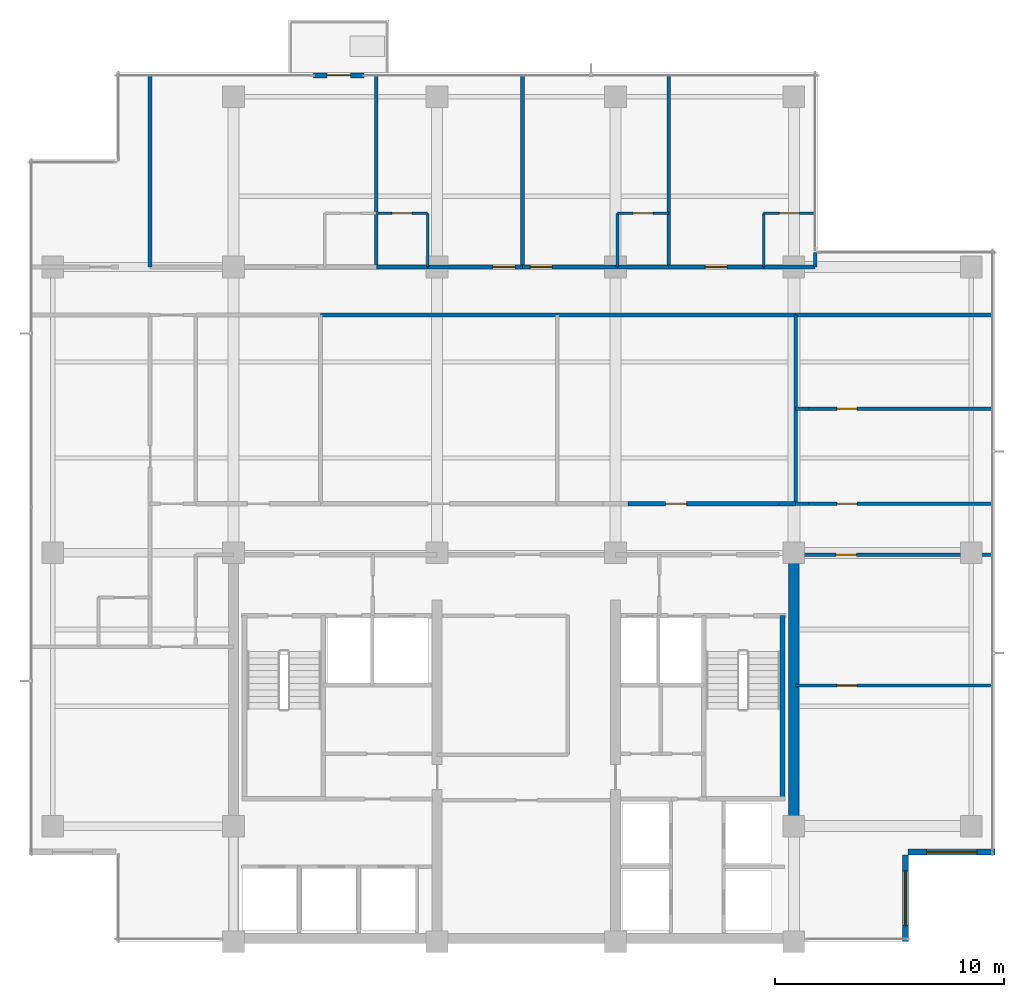
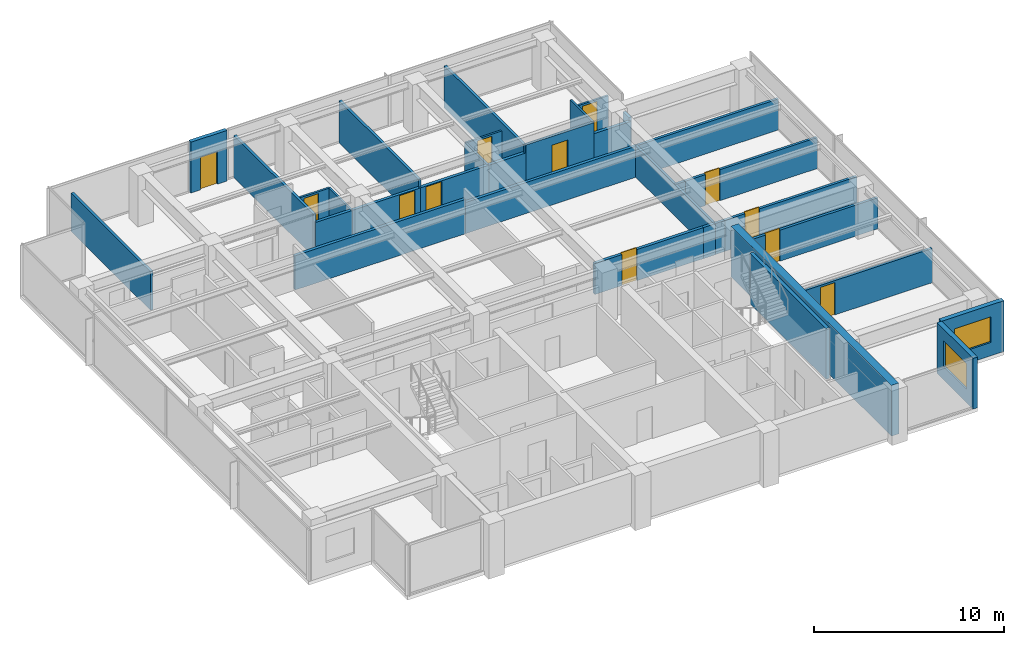
# One storey, part 9 of 14: 34 walls, 12 doors, 2 windows, 14 openings.
"""IFC4 building model written with IfcOpenShell, lengths in metres."""

from ifc_helpers import new_model, si_unit, direction, frame, frame_2d, origin, place, context, subcontext, project, spatial, rectangle, extrude, material, layer, layer_set, type_object, element, fill, save


model = new_model("IFC4")

# Units and contexts
model_context = context("Model", 3, precision=1e-05, world=origin(), true_north=direction((0.0, 1.0)))
body_context = subcontext(model_context, "Body", "Model", "MODEL_VIEW")
ifc_project = project(units=[si_unit("LENGTHUNIT", "METRE"), si_unit("AREAUNIT", "SQUARE_METRE"), si_unit("VOLUMEUNIT", "CUBIC_METRE"), si_unit("PLANEANGLEUNIT", "RADIAN"), si_unit("MASSUNIT", "GRAM", prefix="KILO")], contexts=[model_context])

# Site, building, storey
site_placement = place(None, origin())
site = spatial("IfcSite", under=ifc_project, at=site_placement, CompositionType="ELEMENT")
building_placement = place(site_placement, origin())
building = spatial("IfcBuilding", under=site, at=building_placement, Name="Qalmaran Belvedere Hotel", CompositionType="ELEMENT")
storey_placement = place(building_placement, frame((0.0, 0.0, 235.39990234375)))
storey = spatial("IfcBuildingStorey", under=building, at=storey_placement, Name="L60", CompositionType="ELEMENT", Elevation=235.39990234375)

# Wall, opening, door
ifc_material_1 = material(Name="Anodised Bronze Cladding")
ifc_layer_1 = layer(ifc_material_1, 0.22509765625, Name="Anodised Bronze Cladding")
ifc_layer_set_1 = layer_set([ifc_layer_1], Name="Anodised Bronze Cladding")
wall_type_1 = type_object("IfcWallType", Name="WL-BAL-PORT-225", PredefinedType="SOLIDWALL", material=ifc_layer_set_1)
wall_1_placement = place(storey_placement, frame((23.800048828125, 41.3798828125, 0.0), z_axis=(0.0, 0.0, 1.0), x_axis=(1.0, 0.0, 0.0)))
wall_1 = element("IfcWall", 1, at=wall_1_placement, inside=storey, type_object=wall_type_1, Name="L60 Tree Balcony Door Portal", PredefinedType="SOLIDWALL", context=body_context, shape_type="SweptSolid", body=[
    extrude(rectangle(XDim=2.199951171875, YDim=0.22509765625, at=frame_2d((1.10009765625, 0.0))), origin(), (0.0, 0.0, 1.0), 3.260009765625),
])
opening_1_placement = place(wall_1_placement, frame((0.590087890625, 0.0, 0.0)))
opening_1 = element("IfcOpeningElement", 2, at=opening_1_placement, cuts=wall_1, Name="Opening BL-102", PredefinedType="OPENING", context=body_context, shape_type="SweptSolid", body=[
    extrude(rectangle(XDim=1.02001953125, YDim=2.10009765625, at=frame_2d((0.510009765625, 1.050048828125))), frame((0.0, 0.12255859375, 0.0), z_axis=(0.0, -1.0, 0.0), x_axis=(1.0, 0.0, 0.0)), (0.0, 0.0, 1.0), 0.2451171875),
])
ifc_material_2 = material(Name="Anodised Bronze Aluminium", Category="aluminium")
door_type_1 = type_object("IfcDoorType", Name="DR-BAL-1020X2100", OperationType="NOTDEFINED", PredefinedType="DOOR", material=ifc_material_2)
door_1_placement = place(opening_1_placement, origin())
door_1 = element("IfcDoor", 3, at=door_1_placement, inside=storey, type_object=door_type_1, Name="L60 Planted Tree Balcony Door", OperationType="SINGLE_SWING_LEFT", OverallHeight=2.10009765625, OverallWidth=1.02001953125, PredefinedType="DOOR", context=body_context, shape_type="SweptSolid", body=[
    extrude(rectangle(XDim=1.02001953125, YDim=2.10009765625, at=frame_2d((0.510009765625, 1.050048828125))), frame((0.0, 0.02490234375, 0.0), z_axis=(0.0, -1.0, 0.0), x_axis=(1.0, 0.0, 0.0)), (0.0, 0.0, 1.0), 0.050048828125),
])
fill(opening_1, door_1)

# Wall
ifc_material_3 = material(Name="Concrete C50/60", Category="concrete")
ifc_layer_2 = layer(ifc_material_3, 0.449951171875, Name="Concrete C50/60")
ifc_layer_set_2 = layer_set([ifc_layer_2], Name="Concrete C50/60")
wall_type_2 = type_object("IfcWallType", Name="WL-CORE-450-C50", PredefinedType="SHEAR", material=ifc_layer_set_2)
wall_2_placement = place(storey_placement, frame((44.800048828125, 3.5, 0.0), z_axis=(0.0, 0.0, 1.0), x_axis=(0.0, 1.0, 0.0)))
element("IfcWall", 4, at=wall_2_placement, inside=storey, type_object=wall_type_2, Name="L60 East Core Shear Wall", PredefinedType="SHEAR", context=body_context, shape_type="SweptSolid", body=[
    extrude(rectangle(XDim=16.89990234375, YDim=0.449951171875, at=frame_2d((8.449951171875, 0.0))), origin(), (0.0, 0.0, 1.0), 3.260009765625),
])

# Wall, opening, window
ifc_layer_3 = layer(ifc_material_1, 0.280029296875, Name="Anodised Bronze Cladding")
ifc_layer_set_3 = layer_set([ifc_layer_3], Name="Anodised Bronze Cladding")
wall_type_3 = type_object("IfcWallType", Name="WL-EXT-BRNZ-280", PredefinedType="SOLIDWALL", material=ifc_layer_set_3)
wall_3_placement = place(storey_placement, frame((49.679931640625, 3.5, 0.0), z_axis=(0.0, 0.0, 1.0), x_axis=(0.0, 1.0, 0.0)))
wall_3 = element("IfcWall", 5, at=wall_3_placement, inside=storey, type_object=wall_type_3, Name="L60 Corner Notch Wall 1", PredefinedType="SOLIDWALL", context=body_context, shape_type="SweptSolid", body=[
    extrude(rectangle(XDim=3.800048828125, YDim=0.280029296875, at=frame_2d((1.89990234375, 0.0))), origin(), (0.0, 0.0, 1.0), 3.260009765625),
])
opening_2_placement = place(wall_3_placement, frame((0.699951171875, 0.0, 0.85009765625)))
opening_2 = element("IfcOpeningElement", 6, at=opening_2_placement, cuts=wall_3, Name="Opening W-N24", PredefinedType="OPENING", context=body_context, shape_type="SweptSolid", body=[
    extrude(rectangle(XDim=2.39990234375, YDim=1.64990234375, at=frame_2d((1.199951171875, 0.824951171875))), frame((0.0, 0.14990234375, 0.0), z_axis=(0.0, -1.0, 0.0), x_axis=(1.0, 0.0, 0.0)), (0.0, 0.0, 1.0), 0.300048828125),
])
ifc_material_4 = material(Name="Solar-Control Double Glazing", Category="glass")
window_type_1 = type_object("IfcWindowType", Name="WN-NTC-2400X1650", PartitioningType="SINGLE_PANEL", PredefinedType="WINDOW", material=ifc_material_4)
window_1_placement = place(opening_2_placement, origin())
window_1 = element("IfcWindow", 7, at=window_1_placement, inside=storey, type_object=window_type_1, Name="L60 Corner Notch Window 1", OverallHeight=1.64990234375, OverallWidth=2.39990234375, PartitioningType="SINGLE_PANEL", PredefinedType="WINDOW", context=body_context, shape_type="SweptSolid", body=[
    extrude(rectangle(XDim=2.39990234375, YDim=1.64990234375, at=frame_2d((1.199951171875, 0.824951171875))), frame((0.0, 0.030029296875, 0.0), z_axis=(0.0, -1.0, 0.0), x_axis=(1.0, 0.0, 0.0)), (0.0, 0.0, 1.0), 0.06005859375),
])
fill(opening_2, window_1)

wall_4_placement = place(storey_placement, frame((49.800048828125, 7.419921875, 0.0), z_axis=(0.0, 0.0, 1.0), x_axis=(1.0, 0.0, 0.0)))
wall_4 = element("IfcWall", 8, at=wall_4_placement, inside=storey, type_object=wall_type_3, Name="L60 Corner Notch Wall 2", PredefinedType="SOLIDWALL", context=body_context, shape_type="SweptSolid", body=[
    extrude(rectangle(XDim=3.800048828125, YDim=0.280029296875, at=frame_2d((1.89990234375, 0.0))), origin(), (0.0, 0.0, 1.0), 3.260009765625),
])
opening_3_placement = place(wall_4_placement, frame((0.800048828125, 0.0, 0.85009765625)))
opening_3 = element("IfcOpeningElement", 9, at=opening_3_placement, cuts=wall_4, Name="Opening W-N22", PredefinedType="OPENING", context=body_context, shape_type="SweptSolid", body=[
    extrude(rectangle(XDim=2.199951171875, YDim=1.64990234375, at=frame_2d((1.10009765625, 0.824951171875))), frame((0.0, 0.14990234375, 0.0), z_axis=(0.0, -1.0, 0.0), x_axis=(1.0, 0.0, 0.0)), (0.0, 0.0, 1.0), 0.300048828125),
])
window_type_2 = type_object("IfcWindowType", Name="WN-NTC-2200X1650", PartitioningType="SINGLE_PANEL", PredefinedType="WINDOW", material=ifc_material_4)
window_2_placement = place(opening_3_placement, origin())
window_2 = element("IfcWindow", 10, at=window_2_placement, inside=storey, type_object=window_type_2, Name="L60 Corner Notch Window 2", OverallHeight=1.64990234375, OverallWidth=2.199951171875, PartitioningType="SINGLE_PANEL", PredefinedType="WINDOW", context=body_context, shape_type="SweptSolid", body=[
    extrude(rectangle(XDim=2.199951171875, YDim=1.64990234375, at=frame_2d((1.10009765625, 0.824951171875))), frame((0.0, 0.030029296875, 0.0), z_axis=(0.0, -1.0, 0.0), x_axis=(1.0, 0.0, 0.0)), (0.0, 0.0, 1.0), 0.06005859375),
])
fill(opening_3, window_2)

# Wall, opening, door
ifc_material_5 = material(Name="Moisture-Resistant Gypsum")
ifc_layer_4 = layer(ifc_material_5, 0.1201171875, Name="Moisture-Resistant Gypsum")
ifc_layer_set_4 = layer_set([ifc_layer_4], Name="Moisture-Resistant Gypsum")
wall_type_4 = type_object("IfcWallType", Name="WL-INT-120-BATH", PredefinedType="PARTITIONING", material=ifc_layer_set_4)
wall_5_placement = place(storey_placement, frame((26.540283203125, 35.35009765625, 0.0), z_axis=(0.0, 0.0, 1.0), x_axis=(1.0, 0.0, 0.0)))
wall_5 = element("IfcWall", 11, at=wall_5_placement, inside=storey, type_object=wall_type_4, Name="L60 Partition WL-L60-NBN01", PredefinedType="PARTITIONING", context=body_context, shape_type="SweptSolid", body=[
    extrude(rectangle(XDim=2.25, YDim=0.1201171875, at=frame_2d((1.125, 0.0))), origin(), (0.0, 0.0, 1.0), 2.205078125),
])
opening_4_placement = place(wall_5_placement, frame((1.56494140625, 0.0, 0.0), z_axis=(0.0, 0.0, 1.0), x_axis=(-1.0, 0.0, 0.0)))
opening_4 = element("IfcOpeningElement", 12, at=opening_4_placement, cuts=wall_5, Name="Opening D-BATH", PredefinedType="OPENING", context=body_context, shape_type="SweptSolid", body=[
    extrude(rectangle(XDim=0.8798828125, YDim=2.080078125, at=frame_2d((0.43994140625, 1.0400390625))), frame((0.0, 0.070068359375, 0.0), z_axis=(0.0, -1.0, 0.0), x_axis=(1.0, 0.0, 0.0)), (0.0, 0.0, 1.0), 0.14013671875),
])
ifc_material_6 = material(Name="Engineered Oak Veneer")
door_type_2 = type_object("IfcDoorType", Name="DR-INT-BATH-880X2080", OperationType="NOTDEFINED", PredefinedType="DOOR", material=ifc_material_6)
door_2_placement = place(opening_4_placement, origin())
door_2 = element("IfcDoor", 13, at=door_2_placement, inside=storey, type_object=door_type_2, Name="L60 Ensuite Bathroom Door N02", OperationType="SINGLE_SWING_RIGHT", OverallHeight=2.080078125, OverallWidth=0.8798828125, PredefinedType="DOOR", context=body_context, shape_type="SweptSolid", body=[
    extrude(rectangle(XDim=0.8798828125, YDim=2.080078125, at=frame_2d((0.43994140625, 1.0400390625))), frame((0.0, 0.02490234375, 0.0), z_axis=(0.0, -1.0, 0.0), x_axis=(1.0, 0.0, 0.0)), (0.0, 0.0, 1.0), 0.050048828125),
])
fill(opening_4, door_2)

# Wall
wall_6_placement = place(storey_placement, frame((28.790283203125, 33.0, 0.0), z_axis=(0.0, 0.0, 1.0), x_axis=(0.0, 1.0, 0.0)))
element("IfcWall", 14, at=wall_6_placement, inside=storey, type_object=wall_type_4, Name="L60 Partition WL-L60-NBS01", PredefinedType="PARTITIONING", context=body_context, shape_type="SweptSolid", body=[
    extrude(rectangle(XDim=2.35009765625, YDim=0.1201171875, at=frame_2d((1.175048828125, 0.0))), origin(), (0.0, 0.0, 1.0), 2.205078125),
])

# Wall, opening, door
wall_7_placement = place(storey_placement, frame((37.08349609375, 35.35009765625, 0.0), z_axis=(0.0, 0.0, 1.0), x_axis=(1.0, 0.0, 0.0)))
wall_7 = element("IfcWall", 15, at=wall_7_placement, inside=storey, type_object=wall_type_4, Name="L60 Partition WL-L60-NBN02", PredefinedType="PARTITIONING", context=body_context, shape_type="SweptSolid", body=[
    extrude(rectangle(XDim=2.25, YDim=0.1201171875, at=frame_2d((1.125, 0.0))), origin(), (0.0, 0.0, 1.0), 2.205078125),
])
opening_5_placement = place(wall_7_placement, frame((1.56494140625, 0.0, 0.0), z_axis=(0.0, 0.0, 1.0), x_axis=(-1.0, 0.0, 0.0)))
opening_5 = element("IfcOpeningElement", 16, at=opening_5_placement, cuts=wall_7, Name="Opening D-BATH", PredefinedType="OPENING", context=body_context, shape_type="SweptSolid", body=[
    extrude(rectangle(XDim=0.8798828125, YDim=2.080078125, at=frame_2d((0.43994140625, 1.0400390625))), frame((0.0, 0.070068359375, 0.0), z_axis=(0.0, -1.0, 0.0), x_axis=(1.0, 0.0, 0.0)), (0.0, 0.0, 1.0), 0.14013671875),
])
door_3_placement = place(opening_5_placement, origin())
door_3 = element("IfcDoor", 17, at=door_3_placement, inside=storey, type_object=door_type_2, Name="L60 Ensuite Bathroom Door N03", OperationType="SINGLE_SWING_RIGHT", OverallHeight=2.080078125, OverallWidth=0.8798828125, PredefinedType="DOOR", context=body_context, shape_type="SweptSolid", body=[
    extrude(rectangle(XDim=0.8798828125, YDim=2.080078125, at=frame_2d((0.43994140625, 1.0400390625))), frame((0.0, 0.02490234375, 0.0), z_axis=(0.0, -1.0, 0.0), x_axis=(1.0, 0.0, 0.0)), (0.0, 0.0, 1.0), 0.050048828125),
])
fill(opening_5, door_3)

# Wall
wall_8_placement = place(storey_placement, frame((37.08349609375, 33.0, 0.0), z_axis=(0.0, 0.0, 1.0), x_axis=(0.0, 1.0, 0.0)))
element("IfcWall", 18, at=wall_8_placement, inside=storey, type_object=wall_type_4, Name="L60 Partition WL-L60-NBS02", PredefinedType="PARTITIONING", context=body_context, shape_type="SweptSolid", body=[
    extrude(rectangle(XDim=2.35009765625, YDim=0.1201171875, at=frame_2d((1.175048828125, 0.0))), origin(), (0.0, 0.0, 1.0), 2.205078125),
])

# Wall, opening, door
wall_9_placement = place(storey_placement, frame((43.47998046875, 35.35009765625, 0.0), z_axis=(0.0, 0.0, 1.0), x_axis=(1.0, 0.0, 0.0)))
wall_9 = element("IfcWall", 19, at=wall_9_placement, inside=storey, type_object=wall_type_4, Name="L60 Partition WL-L60-NBN03", PredefinedType="PARTITIONING", context=body_context, shape_type="SweptSolid", body=[
    extrude(rectangle(XDim=2.25, YDim=0.1201171875, at=frame_2d((1.125, 0.0))), origin(), (0.0, 0.0, 1.0), 2.205078125),
])
opening_6_placement = place(wall_9_placement, frame((1.56494140625, 0.0, 0.0), z_axis=(0.0, 0.0, 1.0), x_axis=(-1.0, 0.0, 0.0)))
opening_6 = element("IfcOpeningElement", 20, at=opening_6_placement, cuts=wall_9, Name="Opening D-BATH", PredefinedType="OPENING", context=body_context, shape_type="SweptSolid", body=[
    extrude(rectangle(XDim=0.8798828125, YDim=2.080078125, at=frame_2d((0.43994140625, 1.0400390625))), frame((0.0, 0.070068359375, 0.0), z_axis=(0.0, -1.0, 0.0), x_axis=(1.0, 0.0, 0.0)), (0.0, 0.0, 1.0), 0.14013671875),
])
door_4_placement = place(opening_6_placement, origin())
door_4 = element("IfcDoor", 21, at=door_4_placement, inside=storey, type_object=door_type_2, Name="L60 Ensuite Bathroom Door N04", OperationType="SINGLE_SWING_RIGHT", OverallHeight=2.080078125, OverallWidth=0.8798828125, PredefinedType="DOOR", context=body_context, shape_type="SweptSolid", body=[
    extrude(rectangle(XDim=0.8798828125, YDim=2.080078125, at=frame_2d((0.43994140625, 1.0400390625))), frame((0.0, 0.02490234375, 0.0), z_axis=(0.0, -1.0, 0.0), x_axis=(1.0, 0.0, 0.0)), (0.0, 0.0, 1.0), 0.050048828125),
])
fill(opening_6, door_4)

# Wall
wall_10_placement = place(storey_placement, frame((43.47998046875, 33.0, 0.0), z_axis=(0.0, 0.0, 1.0), x_axis=(0.0, 1.0, 0.0)))
element("IfcWall", 22, at=wall_10_placement, inside=storey, type_object=wall_type_4, Name="L60 Partition WL-L60-NBS03", PredefinedType="PARTITIONING", context=body_context, shape_type="SweptSolid", body=[
    extrude(rectangle(XDim=2.35009765625, YDim=0.1201171875, at=frame_2d((1.175048828125, 0.0))), origin(), (0.0, 0.0, 1.0), 2.7060546875),
])

# Wall, opening, door
ifc_material_7 = material(Name="Gypsum Stud Partition")
ifc_layer_5 = layer(ifc_material_7, 0.14990234375, Name="Gypsum Stud Partition")
ifc_layer_set_5 = layer_set([ifc_layer_5], Name="Gypsum Stud Partition")
wall_type_5 = type_object("IfcWallType", Name="WL-INT-150-EI60", PredefinedType="PARTITIONING", material=ifc_layer_set_5)
wall_11_placement = place(storey_placement, frame((44.8798828125, 14.699951171875, 0.0), z_axis=(0.0, 0.0, 1.0), x_axis=(1.0, 0.0, 0.0)))
wall_11 = element("IfcWall", 23, at=wall_11_placement, inside=storey, type_object=wall_type_5, Name="L60 Partition WL-L60-ECEH0", PredefinedType="PARTITIONING", context=body_context, shape_type="SweptSolid", body=[
    extrude(rectangle(XDim=8.60009765625, YDim=0.14990234375, at=frame_2d((4.300048828125, 0.0))), origin(), (0.0, 0.0, 1.0), 2.205078125),
])
opening_7_placement = place(wall_11_placement, frame((2.679931640625, 0.0, 0.0), z_axis=(0.0, 0.0, 1.0), x_axis=(-1.0, 0.0, 0.0)))
opening_7 = element("IfcOpeningElement", 24, at=opening_7_placement, cuts=wall_11, Name="Opening FD60B", PredefinedType="OPENING", context=body_context, shape_type="SweptSolid", body=[
    extrude(rectangle(XDim=0.8798828125, YDim=2.080078125, at=frame_2d((0.43994140625, 1.0400390625))), frame((0.0, 0.0849609375, 0.0), z_axis=(0.0, -1.0, 0.0), x_axis=(1.0, 0.0, 0.0)), (0.0, 0.0, 1.0), 0.169921875),
])
ifc_material_8 = material(Name="Steel S355JR", Category="steel")
door_type_3 = type_object("IfcDoorType", Name="DR-FD60B-880X2080", OperationType="NOTDEFINED", PredefinedType="DOOR", material=ifc_material_8)
door_5_placement = place(opening_7_placement, origin())
door_5 = element("IfcDoor", 25, at=door_5_placement, inside=storey, type_object=door_type_3, Name="L60 East Study Inner Door", OperationType="SINGLE_SWING_LEFT", OverallHeight=2.080078125, OverallWidth=0.8798828125, PredefinedType="DOOR", context=body_context, shape_type="SweptSolid", body=[
    extrude(rectangle(XDim=0.8798828125, YDim=2.080078125, at=frame_2d((0.43994140625, 1.0400390625))), frame((0.0, 0.02490234375, 0.0), z_axis=(0.0, -1.0, 0.0), x_axis=(1.0, 0.0, 0.0)), (0.0, 0.0, 1.0), 0.050048828125),
])
fill(opening_7, door_5)

# Wall
wall_12_placement = place(storey_placement, frame((44.8798828125, 26.800048828125, 0.0), z_axis=(0.0, 0.0, 1.0), x_axis=(1.0, 0.0, 0.0)))
element("IfcWall", 26, at=wall_12_placement, inside=storey, type_object=wall_type_5, Name="L60 Partition WL-L60-ECEH2-S1", PredefinedType="PARTITIONING", context=body_context, shape_type="SweptSolid", body=[
    extrude(rectangle(XDim=0.5751953125, YDim=0.14990234375, at=frame_2d((0.28759765625, 0.0))), origin(), (0.0, 0.0, 1.0), 1.9951171875),
])

# Wall, opening, door
wall_13_placement = place(storey_placement, frame((45.455078125, 26.800048828125, 0.0), z_axis=(0.0, 0.0, 1.0), x_axis=(1.0, 0.0, 0.0)))
wall_13 = element("IfcWall", 27, at=wall_13_placement, inside=storey, type_object=wall_type_5, Name="L60 Partition WL-L60-ECEH2", PredefinedType="PARTITIONING", context=body_context, shape_type="SweptSolid", body=[
    extrude(rectangle(XDim=8.02490234375, YDim=0.14990234375, at=frame_2d((4.012451171875, 0.0))), origin(), (0.0, 0.0, 1.0), 1.9951171875),
])
opening_8_placement = place(wall_13_placement, frame((1.22509765625, 0.0, 0.0)))
opening_8 = element("IfcOpeningElement", 28, at=opening_8_placement, cuts=wall_13, Name="Opening FD60B", PredefinedType="OPENING", context=body_context, shape_type="SweptSolid", body=[
    extrude(rectangle(XDim=0.8798828125, YDim=2.080078125, at=frame_2d((0.43994140625, 1.0400390625))), frame((0.0, 0.0849609375, 0.0), z_axis=(0.0, -1.0, 0.0), x_axis=(1.0, 0.0, 0.0)), (0.0, 0.0, 1.0), 0.169921875),
])
door_6_placement = place(opening_8_placement, origin())
door_6 = element("IfcDoor", 29, at=door_6_placement, inside=storey, type_object=door_type_3, Name="L60 East Meditation Door", OperationType="SINGLE_SWING_RIGHT", OverallHeight=2.080078125, OverallWidth=0.8798828125, PredefinedType="DOOR", context=body_context, shape_type="SweptSolid", body=[
    extrude(rectangle(XDim=0.8798828125, YDim=2.080078125, at=frame_2d((0.43994140625, 1.0400390625))), frame((0.0, 0.02490234375, 0.0), z_axis=(0.0, -1.0, 0.0), x_axis=(1.0, 0.0, 0.0)), (0.0, 0.0, 1.0), 0.050048828125),
])
fill(opening_8, door_6)

ifc_layer_6 = layer(ifc_material_7, 0.159912109375, Name="Gypsum Stud Partition")
ifc_layer_set_6 = layer_set([ifc_layer_6], Name="Gypsum Stud Partition")
wall_type_6 = type_object("IfcWallType", Name="WL-INT-160-EI60", PredefinedType="PARTITIONING", material=ifc_layer_set_6)
wall_14_placement = place(storey_placement, frame((44.800048828125, 20.419921875, 0.0), z_axis=(0.0, 0.0, 1.0), x_axis=(1.0, 0.0, 0.0)))
wall_14 = element("IfcWall", 30, at=wall_14_placement, inside=storey, type_object=wall_type_6, Name="L60 Partition WL-L60-ECE1S", PredefinedType="PARTITIONING", context=body_context, shape_type="SweptSolid", body=[
    extrude(rectangle(XDim=8.679931640625, YDim=0.159912109375, at=frame_2d((4.33984375, 0.0))), origin(), (0.0, 0.0, 1.0), 1.9951171875),
])
opening_9_placement = place(wall_14_placement, frame((2.72998046875, 0.0, 0.0), z_axis=(0.0, 0.0, 1.0), x_axis=(-1.0, 0.0, 0.0)))
opening_9 = element("IfcOpeningElement", 31, at=opening_9_placement, cuts=wall_14, Name="Opening FD60B", PredefinedType="OPENING", context=body_context, shape_type="SweptSolid", body=[
    extrude(rectangle(XDim=0.8798828125, YDim=2.080078125, at=frame_2d((0.43994140625, 1.0400390625))), frame((0.0, 0.08984375, 0.0), z_axis=(0.0, -1.0, 0.0), x_axis=(1.0, 0.0, 0.0)), (0.0, 0.0, 1.0), 0.179931640625),
])
door_7_placement = place(opening_9_placement, origin())
door_7 = element("IfcDoor", 32, at=door_7_placement, inside=storey, type_object=door_type_3, Name="L60 East Library Door", OperationType="SINGLE_SWING_LEFT", OverallHeight=2.080078125, OverallWidth=0.8798828125, PredefinedType="DOOR", context=body_context, shape_type="SweptSolid", body=[
    extrude(rectangle(XDim=0.8798828125, YDim=2.080078125, at=frame_2d((0.43994140625, 1.0400390625))), frame((0.0, 0.02490234375, 0.0), z_axis=(0.0, -1.0, 0.0), x_axis=(1.0, 0.0, 0.0)), (0.0, 0.0, 1.0), 0.050048828125),
])
fill(opening_9, door_7)

# Wall
wall_15_placement = place(storey_placement, frame((44.8798828125, 22.64990234375, 0.0), z_axis=(0.0, 0.0, 1.0), x_axis=(1.0, 0.0, 0.0)))
element("IfcWall", 33, at=wall_15_placement, inside=storey, type_object=wall_type_6, Name="L60 Partition WL-L60-ECE2N-S1", PredefinedType="PARTITIONING", context=body_context, shape_type="SweptSolid", body=[
    extrude(rectangle(XDim=0.5751953125, YDim=0.159912109375, at=frame_2d((0.28759765625, 0.0))), origin(), (0.0, 0.0, 1.0), 1.9951171875),
])

# Wall, opening, door
wall_16_placement = place(storey_placement, frame((45.455078125, 22.64990234375, 0.0), z_axis=(0.0, 0.0, 1.0), x_axis=(1.0, 0.0, 0.0)))
wall_16 = element("IfcWall", 34, at=wall_16_placement, inside=storey, type_object=wall_type_6, Name="L60 Partition WL-L60-ECE2N", PredefinedType="PARTITIONING", context=body_context, shape_type="SweptSolid", body=[
    extrude(rectangle(XDim=8.02490234375, YDim=0.159912109375, at=frame_2d((4.012451171875, 0.0))), origin(), (0.0, 0.0, 1.0), 1.9951171875),
])
opening_10_placement = place(wall_16_placement, frame((1.22509765625, 0.0, 0.0)))
opening_10 = element("IfcOpeningElement", 35, at=opening_10_placement, cuts=wall_16, Name="Opening FD60B", PredefinedType="OPENING", context=body_context, shape_type="SweptSolid", body=[
    extrude(rectangle(XDim=0.8798828125, YDim=2.080078125, at=frame_2d((0.43994140625, 1.0400390625))), frame((0.0, 0.08984375, 0.0), z_axis=(0.0, -1.0, 0.0), x_axis=(1.0, 0.0, 0.0)), (0.0, 0.0, 1.0), 0.179931640625),
])
door_8_placement = place(opening_10_placement, origin())
door_8 = element("IfcDoor", 36, at=door_8_placement, inside=storey, type_object=door_type_3, Name="L60 East Fitness Door", OperationType="SINGLE_SWING_RIGHT", OverallHeight=2.080078125, OverallWidth=0.8798828125, PredefinedType="DOOR", context=body_context, shape_type="SweptSolid", body=[
    extrude(rectangle(XDim=0.8798828125, YDim=2.080078125, at=frame_2d((0.43994140625, 1.0400390625))), frame((0.0, 0.02490234375, 0.0), z_axis=(0.0, -1.0, 0.0), x_axis=(1.0, 0.0, 0.0)), (0.0, 0.0, 1.0), 0.050048828125),
])
fill(opening_10, door_8)

# Walls
wall_17_placement = place(storey_placement, frame((44.8798828125, 30.89990234375, 0.0), z_axis=(0.0, 0.0, 1.0), x_axis=(1.0, 0.0, 0.0)))
element("IfcWall", 37, at=wall_17_placement, inside=storey, type_object=wall_type_6, Name="L60 Partition WL-L60-ECEN", PredefinedType="PARTITIONING", context=body_context, shape_type="SweptSolid", body=[
    extrude(rectangle(XDim=8.60009765625, YDim=0.159912109375, at=frame_2d((4.300048828125, 0.0))), origin(), (0.0, 0.0, 1.0), 1.9951171875),
])
wall_18_placement = place(storey_placement, frame((44.8798828125, 22.64990234375, 0.0), z_axis=(0.0, 0.0, 1.0), x_axis=(0.0, 1.0, 0.0)))
element("IfcWall", 38, at=wall_18_placement, inside=storey, type_object=wall_type_6, Name="L60 Partition WL-L60-MIDVR3", PredefinedType="PARTITIONING", context=body_context, shape_type="SweptSolid", body=[
    extrude(rectangle(XDim=8.25, YDim=0.159912109375, at=frame_2d((4.125, 0.0))), origin(), (0.0, 0.0, 1.0), 1.9951171875),
])
wall_19_placement = place(storey_placement, frame((16.64990234375, 33.0, 0.0), z_axis=(0.0, 0.0, 1.0), x_axis=(0.0, 1.0, 0.0)))
element("IfcWall", 39, at=wall_19_placement, inside=storey, type_object=wall_type_6, Name="L60 Partition WL-L60-NUL", PredefinedType="PARTITIONING", context=body_context, shape_type="SweptSolid", body=[
    extrude(rectangle(XDim=8.3798828125, YDim=0.159912109375, at=frame_2d((4.18994140625, 0.0))), origin(), (0.0, 0.0, 1.0), 2.47216796875),
])
for number, where, z_axis, x_axis, name in (
    (40, (26.540283203125, 33.0, 0.0), (0.0, 0.0, 1.0), (0.0, 1.0, 0.0), "L60 Partition WL-L60-NUR00"),
    (41, (32.936767578125, 33.0, 0.0), (0.0, 0.0, 1.0), (0.0, 1.0, 0.0), "L60 Partition WL-L60-NUR01"),
    (42, (39.33349609375, 33.0, 0.0), (0.0, 0.0, 1.0), (0.0, 1.0, 0.0), "L60 Partition WL-L60-NUR02"),
):
    element("IfcWall", number, at=place(storey_placement, frame(where, z_axis=z_axis, x_axis=x_axis)), inside=storey, type_object=wall_type_6, Name=name, PredefinedType="PARTITIONING", context=body_context, shape_type="SweptSolid", body=[
        extrude(rectangle(XDim=8.3798828125, YDim=0.159912109375, at=frame_2d((4.18994140625, 0.0))), origin(), (0.0, 0.0, 1.0), 2.7060546875),
    ])
wall_20_placement = place(storey_placement, frame((45.72998046875, 33.0, 0.0), z_axis=(0.0, 0.0, 1.0), x_axis=(0.0, 1.0, 0.0)))
element("IfcWall", 43, at=wall_20_placement, inside=storey, type_object=wall_type_6, Name="L60 Partition WL-L60-NUR03", PredefinedType="PARTITIONING", context=body_context, shape_type="SweptSolid", body=[
    extrude(rectangle(XDim=0.6298828125, YDim=0.159912109375, at=frame_2d((0.31494140625, 0.0))), origin(), (0.0, 0.0, 1.0), 2.205078125),
])
ifc_layer_7 = layer(ifc_material_7, 0.179931640625, Name="Gypsum Stud Partition")
ifc_layer_set_7 = layer_set([ifc_layer_7], Name="Gypsum Stud Partition")
wall_type_7 = type_object("IfcWallType", Name="WL-INT-180-EI60", PredefinedType="PARTITIONING", material=ifc_layer_set_7)
wall_21_placement = place(storey_placement, frame((24.10009765625, 30.89990234375, 0.0), z_axis=(0.0, 0.0, 1.0), x_axis=(1.0, 0.0, 0.0)))
element("IfcWall", 44, at=wall_21_placement, inside=storey, type_object=wall_type_7, Name="L60 Partition WL-L60-MIDO2", PredefinedType="PARTITIONING", context=body_context, shape_type="SweptSolid", body=[
    extrude(rectangle(XDim=10.349853515625, YDim=0.179931640625, at=frame_2d((5.1748046875, 0.0))), origin(), (0.0, 0.0, 1.0), 2.205078125),
])
wall_22_placement = place(storey_placement, frame((44.14501953125, 22.64990234375, 0.0), z_axis=(0.0, 0.0, 1.0), x_axis=(1.0, 0.0, 0.0)))
element("IfcWall", 45, at=wall_22_placement, inside=storey, type_object=wall_type_7, Name="L60 Partition WL-L60-MIDD3-S2", PredefinedType="PARTITIONING", context=body_context, shape_type="SweptSolid", body=[
    extrude(rectangle(XDim=0.73486328125, YDim=0.179931640625, at=frame_2d((0.367431640625, 0.0))), origin(), (0.0, 0.0, 1.0), 1.9951171875),
])

# Wall, opening, door
wall_23_placement = place(storey_placement, frame((37.550048828125, 22.64990234375, 0.0), z_axis=(0.0, 0.0, 1.0), x_axis=(1.0, 0.0, 0.0)))
wall_23 = element("IfcWall", 46, at=wall_23_placement, inside=storey, type_object=wall_type_7, Name="L60 Partition WL-L60-MIDD3", PredefinedType="PARTITIONING", context=body_context, shape_type="SweptSolid", body=[
    extrude(rectangle(XDim=6.594970703125, YDim=0.179931640625, at=frame_2d((3.29736328125, 0.0))), origin(), (0.0, 0.0, 1.0), 1.9951171875),
])
opening_11_placement = place(wall_23_placement, frame((1.639892578125, 0.0, 0.0)))
opening_11 = element("IfcOpeningElement", 47, at=opening_11_placement, cuts=wall_23, Name="Opening FD60S1", PredefinedType="OPENING", context=body_context, shape_type="SweptSolid", body=[
    extrude(rectangle(XDim=0.919921875, YDim=2.080078125, at=frame_2d((0.4599609375, 1.0400390625))), frame((0.0, 0.10009765625, 0.0), z_axis=(0.0, -1.0, 0.0), x_axis=(1.0, 0.0, 0.0)), (0.0, 0.0, 1.0), 0.199951171875),
])
door_type_4 = type_object("IfcDoorType", Name="DR-FD60S-920X2080", OperationType="NOTDEFINED", PredefinedType="DOOR", material=ifc_material_6)
door_9_placement = place(opening_11_placement, origin())
door_9 = element("IfcDoor", 48, at=door_9_placement, inside=storey, type_object=door_type_4, Name="L60 Butler Pantry Door", OperationType="SINGLE_SWING_LEFT", OverallHeight=2.080078125, OverallWidth=0.919921875, PredefinedType="DOOR", context=body_context, shape_type="SweptSolid", body=[
    extrude(rectangle(XDim=0.919921875, YDim=2.080078125, at=frame_2d((0.4599609375, 1.0400390625))), frame((0.0, 0.02490234375, 0.0), z_axis=(0.0, -1.0, 0.0), x_axis=(1.0, 0.0, 0.0)), (0.0, 0.0, 1.0), 0.050048828125),
])
fill(opening_11, door_9)

# Walls
wall_24_placement = place(storey_placement, frame((34.449951171875, 30.89990234375, 0.0), z_axis=(0.0, 0.0, 1.0), x_axis=(1.0, 0.0, 0.0)))
element("IfcWall", 49, at=wall_24_placement, inside=storey, type_object=wall_type_7, Name="L60 Partition WL-L60-MIDO3", PredefinedType="PARTITIONING", context=body_context, shape_type="SweptSolid", body=[
    extrude(rectangle(XDim=10.429931640625, YDim=0.179931640625, at=frame_2d((5.21484375, 0.0))), origin(), (0.0, 0.0, 1.0), 1.9951171875),
])
wall_25_placement = place(storey_placement, frame((26.540283203125, 33.0, 0.0), z_axis=(0.0, 0.0, 1.0), x_axis=(1.0, 0.0, 0.0)))
element("IfcWall", 50, at=wall_25_placement, inside=storey, type_object=wall_type_7, Name="L60 Partition WL-L60-NBC01", PredefinedType="PARTITIONING", context=body_context, shape_type="SweptSolid", body=[
    extrude(rectangle(XDim=2.25, YDim=0.179931640625, at=frame_2d((1.125, 0.0))), origin(), (0.0, 0.0, 1.0), 2.205078125),
])

# Wall, opening, door
wall_26_placement = place(storey_placement, frame((28.790283203125, 33.0, 0.0), z_axis=(0.0, 0.0, 1.0), x_axis=(1.0, 0.0, 0.0)))
wall_26 = element("IfcWall", 51, at=wall_26_placement, inside=storey, type_object=wall_type_7, Name="L60 Partition WL-L60-NEC01", PredefinedType="PARTITIONING", context=body_context, shape_type="SweptSolid", body=[
    extrude(rectangle(XDim=4.146484375, YDim=0.179931640625, at=frame_2d((2.0732421875, 0.0))), origin(), (0.0, 0.0, 1.0), 2.205078125),
])
opening_12_placement = place(wall_26_placement, frame((2.856689453125, 0.0, 0.0)))
opening_12 = element("IfcOpeningElement", 52, at=opening_12_placement, cuts=wall_26, Name="Opening FD60", PredefinedType="OPENING", context=body_context, shape_type="SweptSolid", body=[
    extrude(rectangle(XDim=0.949951171875, YDim=2.14990234375, at=frame_2d((0.47509765625, 1.074951171875))), frame((0.0, 0.10009765625, 0.0), z_axis=(0.0, -1.0, 0.0), x_axis=(1.0, 0.0, 0.0)), (0.0, 0.0, 1.0), 0.199951171875),
])
door_type_5 = type_object("IfcDoorType", Name="DR-FD60-950X2150", OperationType="NOTDEFINED", PredefinedType="DOOR", material=ifc_material_6)
door_10_placement = place(opening_12_placement, origin())
door_10 = element("IfcDoor", 53, at=door_10_placement, inside=storey, type_object=door_type_5, Name="L60 Guest Entrance Door N02", OperationType="SINGLE_SWING_LEFT", OverallHeight=2.14990234375, OverallWidth=0.949951171875, PredefinedType="DOOR", context=body_context, shape_type="SweptSolid", body=[
    extrude(rectangle(XDim=0.949951171875, YDim=2.14990234375, at=frame_2d((0.47509765625, 1.074951171875))), frame((0.0, 0.02490234375, 0.0), z_axis=(0.0, -1.0, 0.0), x_axis=(1.0, 0.0, 0.0)), (0.0, 0.0, 1.0), 0.050048828125),
])
fill(opening_12, door_10)

# Wall
wall_27_placement = place(storey_placement, frame((37.08349609375, 33.0, 0.0), z_axis=(0.0, 0.0, 1.0), x_axis=(1.0, 0.0, 0.0)))
element("IfcWall", 54, at=wall_27_placement, inside=storey, type_object=wall_type_7, Name="L60 Partition WL-L60-NBC02", PredefinedType="PARTITIONING", context=body_context, shape_type="SweptSolid", body=[
    extrude(rectangle(XDim=2.25, YDim=0.179931640625, at=frame_2d((1.125, 0.0))), origin(), (0.0, 0.0, 1.0), 2.205078125),
])

# Wall, opening, door
wall_28_placement = place(storey_placement, frame((32.936767578125, 33.0, 0.0), z_axis=(0.0, 0.0, 1.0), x_axis=(1.0, 0.0, 0.0)))
wall_28 = element("IfcWall", 55, at=wall_28_placement, inside=storey, type_object=wall_type_7, Name="L60 Partition WL-L60-NEC02", PredefinedType="PARTITIONING", context=body_context, shape_type="SweptSolid", body=[
    extrude(rectangle(XDim=4.146728515625, YDim=0.179931640625, at=frame_2d((2.0732421875, 0.0))), origin(), (0.0, 0.0, 1.0), 2.205078125),
])
opening_13_placement = place(wall_28_placement, frame((0.33984375, 0.0, 0.0)))
opening_13 = element("IfcOpeningElement", 56, at=opening_13_placement, cuts=wall_28, Name="Opening FD60", PredefinedType="OPENING", context=body_context, shape_type="SweptSolid", body=[
    extrude(rectangle(XDim=0.949951171875, YDim=2.14990234375, at=frame_2d((0.47509765625, 1.074951171875))), frame((0.0, 0.10009765625, 0.0), z_axis=(0.0, -1.0, 0.0), x_axis=(1.0, 0.0, 0.0)), (0.0, 0.0, 1.0), 0.199951171875),
])
door_11_placement = place(opening_13_placement, origin())
door_11 = element("IfcDoor", 57, at=door_11_placement, inside=storey, type_object=door_type_5, Name="L60 Guest Entrance Door N03", OperationType="SINGLE_SWING_LEFT", OverallHeight=2.14990234375, OverallWidth=0.949951171875, PredefinedType="DOOR", context=body_context, shape_type="SweptSolid", body=[
    extrude(rectangle(XDim=0.949951171875, YDim=2.14990234375, at=frame_2d((0.47509765625, 1.074951171875))), frame((0.0, 0.02490234375, 0.0), z_axis=(0.0, -1.0, 0.0), x_axis=(1.0, 0.0, 0.0)), (0.0, 0.0, 1.0), 0.050048828125),
])
fill(opening_13, door_11)

# Wall
wall_29_placement = place(storey_placement, frame((43.47998046875, 33.0, 0.0), z_axis=(0.0, 0.0, 1.0), x_axis=(1.0, 0.0, 0.0)))
element("IfcWall", 58, at=wall_29_placement, inside=storey, type_object=wall_type_7, Name="L60 Partition WL-L60-NBC03", PredefinedType="PARTITIONING", context=body_context, shape_type="SweptSolid", body=[
    extrude(rectangle(XDim=2.25, YDim=0.179931640625, at=frame_2d((1.125, 0.0))), origin(), (0.0, 0.0, 1.0), 1.9951171875),
])

# Wall, opening, door
wall_30_placement = place(storey_placement, frame((39.33349609375, 33.0, 0.0), z_axis=(0.0, 0.0, 1.0), x_axis=(1.0, 0.0, 0.0)))
wall_30 = element("IfcWall", 59, at=wall_30_placement, inside=storey, type_object=wall_type_7, Name="L60 Partition WL-L60-NEC03", PredefinedType="PARTITIONING", context=body_context, shape_type="SweptSolid", body=[
    extrude(rectangle(XDim=4.146484375, YDim=0.179931640625, at=frame_2d((2.0732421875, 0.0))), origin(), (0.0, 0.0, 1.0), 2.7060546875),
])
opening_14_placement = place(wall_30_placement, frame((1.598388671875, 0.0, 0.0)))
opening_14 = element("IfcOpeningElement", 60, at=opening_14_placement, cuts=wall_30, Name="Opening FD60", PredefinedType="OPENING", context=body_context, shape_type="SweptSolid", body=[
    extrude(rectangle(XDim=0.949951171875, YDim=2.14990234375, at=frame_2d((0.47509765625, 1.074951171875))), frame((0.0, 0.10009765625, 0.0), z_axis=(0.0, -1.0, 0.0), x_axis=(1.0, 0.0, 0.0)), (0.0, 0.0, 1.0), 0.199951171875),
])
door_12_placement = place(opening_14_placement, origin())
door_12 = element("IfcDoor", 61, at=door_12_placement, inside=storey, type_object=door_type_5, Name="L60 Guest Entrance Door N04", OperationType="SINGLE_SWING_LEFT", OverallHeight=2.14990234375, OverallWidth=0.949951171875, PredefinedType="DOOR", context=body_context, shape_type="SweptSolid", body=[
    extrude(rectangle(XDim=0.949951171875, YDim=2.14990234375, at=frame_2d((0.47509765625, 1.074951171875))), frame((0.0, 0.02490234375, 0.0), z_axis=(0.0, -1.0, 0.0), x_axis=(1.0, 0.0, 0.0)), (0.0, 0.0, 1.0), 0.050048828125),
])
fill(opening_14, door_12)

# Wall
ifc_layer_8 = layer(ifc_material_3, 0.2099609375, Name="Concrete C50/60")
ifc_layer_set_8 = layer_set([ifc_layer_8], Name="Concrete C50/60")
wall_type_8 = type_object("IfcWallType", Name="WL-STAIR-210-C50", PredefinedType="SHEAR", material=ifc_layer_set_8)
wall_31_placement = place(storey_placement, frame((44.304931640625, 9.7451171875, 0.0), z_axis=(0.0, 0.0, 1.0), x_axis=(0.0, 1.0, 0.0)))
element("IfcWall", 62, at=wall_31_placement, inside=storey, type_object=wall_type_8, Name="L60 Stair ST-2 East Bearing Wall", PredefinedType="SHEAR", context=body_context, shape_type="SweptSolid", body=[
    extrude(rectangle(XDim=8.009765625, YDim=0.2099609375, at=frame_2d((4.0048828125, 0.0))), origin(), (0.0, 0.0, 1.0), 3.260009765625),
])

save(model, "model.ifc")
